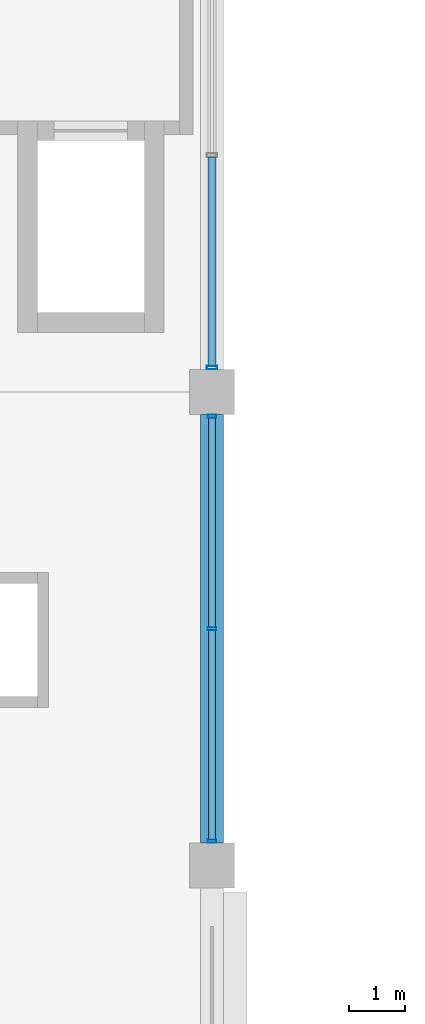
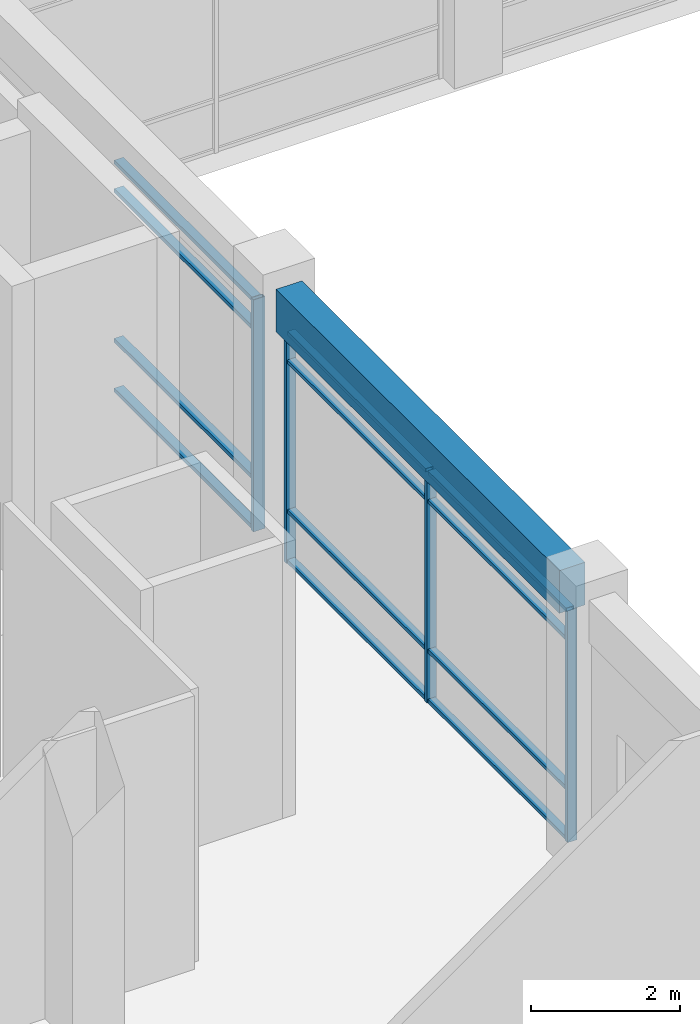
# One storey, part 3 of 62: 16 members, 1 beam, 2 elements without a shape of their own.
"""IFC4 building model written with IfcOpenShell, lengths in metres."""

from ifc_helpers import new_model, si_unit, direction, frame, origin, origin_2d, place, context, subcontext, project, spatial, rectangle, hollow_rectangle, extrude, material, material_profile, profile_set, type_object, element, aggregate, save


model = new_model("IFC4")

# Units and contexts
model_context = context("Model", 3, precision=1e-05, world=origin(), true_north=direction((0.0, 1.0)))
body_context = subcontext(model_context, "Body", "Model", "MODEL_VIEW")
ifc_project = project(units=[si_unit("LENGTHUNIT", "METRE"), si_unit("AREAUNIT", "SQUARE_METRE"), si_unit("VOLUMEUNIT", "CUBIC_METRE"), si_unit("PLANEANGLEUNIT", "RADIAN"), si_unit("MASSUNIT", "GRAM", prefix="KILO"), si_unit("THERMODYNAMICTEMPERATUREUNIT", "KELVIN"), si_unit("POWERUNIT", "WATT")], contexts=[model_context])

# Site, building, storey
site_placement = place(None, origin())
site = spatial("IfcSite", under=ifc_project, at=site_placement, CompositionType="ELEMENT")
building_placement = place(site_placement, origin())
building = spatial("IfcBuilding", under=site, at=building_placement, Name="Srebrne Nadtorze General Hospital", CompositionType="ELEMENT")
storey_placement = place(building_placement, frame((0.0, 0.0, 9.60009765625)))
storey = spatial("IfcBuildingStorey", under=building, at=storey_placement, Name="L02", CompositionType="ELEMENT", Elevation=9.60009765625)

# Curtain wall, members
ifc_material_1 = material(Name="Anodised Aluminium", Category="aluminium")
curtain_wall_type = type_object("IfcCurtainWallType", Name="Unitised curtain wall 7600x3800", PredefinedType="NOTDEFINED", material=ifc_material_1)
curtain_wall_1_placement = place(storey_placement, origin())
curtain_wall_1 = element("IfcCurtainWall", 1, at=curtain_wall_1_placement, inside=storey, type_object=curtain_wall_type, Name="Curtain wall CW-082", PredefinedType="NOTDEFINED")
ifc_material_2 = material(Name="Anodised Aluminium", Category="aluminium")
ifc_material_profile_1 = material_profile(ifc_material_2, hollow_rectangle(XDim=0.06005859375, YDim=0.14990234375, WallThickness=0.00390625, at=origin_2d()), Name="AL-MUL-60x150")
ifc_profile_set_1 = profile_set([ifc_material_profile_1], Name="Anodised Aluminium")
member_type_1 = type_object("IfcMemberType", Name="Curtain mullion 60x150", PredefinedType="MULLION", material=ifc_profile_set_1)
member_1_placement = place(storey_placement, frame((54.60009765625, 34.030029296875, 0.0), z_axis=(0.0, 0.0, 1.0), x_axis=(0.0, 1.0, 0.0)))
member_1 = element("IfcMember", 2, at=member_1_placement, type_object=member_type_1, Name="CW-082 mullion 1", PredefinedType="MULLION", context=body_context, shape_type="SweptSolid", body=[
    extrude(hollow_rectangle(XDim=0.06005859375, YDim=0.14990234375, WallThickness=0.00390625, at=origin_2d()), origin(), (0.0, 0.0, 1.0), 3.7998046875),
])
member_2_placement = place(storey_placement, frame((54.60009765625, 37.800048828125, 0.0), z_axis=(0.0, 0.0, 1.0), x_axis=(0.0, 1.0, 0.0)))
member_2 = element("IfcMember", 3, at=member_2_placement, type_object=member_type_1, Name="CW-082 mullion 2", PredefinedType="MULLION", context=body_context, shape_type="SweptSolid", body=[
    extrude(hollow_rectangle(XDim=0.06005859375, YDim=0.14990234375, WallThickness=0.00390625, at=origin_2d()), origin(), (0.0, 0.0, 1.0), 3.7998046875),
])
member_3_placement = place(storey_placement, frame((54.60009765625, 41.570068359375, 0.0), z_axis=(0.0, 0.0, 1.0), x_axis=(0.0, 1.0, 0.0)))
member_3 = element("IfcMember", 4, at=member_3_placement, type_object=member_type_1, Name="CW-082 mullion 3", PredefinedType="MULLION", context=body_context, shape_type="SweptSolid", body=[
    extrude(hollow_rectangle(XDim=0.06005859375, YDim=0.14990234375, WallThickness=0.00390625, at=origin_2d()), origin(), (0.0, 0.0, 1.0), 3.7998046875),
])

# Curtain wall, member
curtain_wall_2_placement = place(storey_placement, origin())
curtain_wall_2 = element("IfcCurtainWall", 5, at=curtain_wall_2_placement, inside=storey, type_object=curtain_wall_type, Name="Curtain wall CW-083", PredefinedType="NOTDEFINED")
ifc_material_3 = material(Name="Anodised Aluminium", Category="aluminium")
ifc_material_profile_2 = material_profile(ifc_material_3, hollow_rectangle(XDim=0.06494140625, YDim=0.179931640625, WallThickness=0.00390625, at=origin_2d()), Name="AL-MUL-65x180")
ifc_profile_set_2 = profile_set([ifc_material_profile_2], Name="Anodised Aluminium")
member_type_2 = type_object("IfcMemberType", Name="Curtain mullion 65x180", PredefinedType="MULLION", material=ifc_profile_set_2)
member_4_placement = place(storey_placement, frame((54.60009765625, 42.4326171875, 0.0), z_axis=(0.0, 0.0, 1.0), x_axis=(0.0, 1.0, 0.0)))
member_4 = element("IfcMember", 6, at=member_4_placement, type_object=member_type_2, Name="CW-083 mullion 1", PredefinedType="MULLION", context=body_context, shape_type="SweptSolid", body=[
    extrude(hollow_rectangle(XDim=0.06494140625, YDim=0.179931640625, WallThickness=0.00390625, at=origin_2d()), origin(), (0.0, 0.0, 1.0), 3.7998046875),
])

# Member
ifc_material_4 = material(Name="Anodised Aluminium", Category="aluminium")
ifc_material_profile_3 = material_profile(ifc_material_4, hollow_rectangle(XDim=0.06005859375, YDim=0.1201171875, WallThickness=0.00390625, at=origin_2d()), Name="AL-TRN-60x120")
ifc_profile_set_3 = profile_set([ifc_material_profile_3], Name="Anodised Aluminium")
member_type_3 = type_object("IfcMemberType", Name="Curtain transom 60x120", PredefinedType="USERDEFINED", material=ifc_profile_set_3)
member_5_placement = place(storey_placement, frame((54.60009765625, 34.06005859375, 0.02978515625), z_axis=(0.0, 1.0, 0.0), x_axis=(0.0, 0.0, 1.0)))
member_5 = element("IfcMember", 7, at=member_5_placement, type_object=member_type_3, Name="CW-082 transom 1.1", ObjectType="TRANSOM", PredefinedType="USERDEFINED", context=body_context, shape_type="SweptSolid", body=[
    extrude(hollow_rectangle(XDim=0.06005859375, YDim=0.1201171875, WallThickness=0.00390625, at=origin_2d()), origin(), (0.0, 0.0, 1.0), 3.7099609375),
])

member_6_placement = place(storey_placement, frame((54.60009765625, 34.06005859375, 0.849853515625), z_axis=(0.0, 1.0, 0.0), x_axis=(0.0, 0.0, 1.0)))
member_6 = element("IfcMember", 8, at=member_6_placement, type_object=member_type_3, Name="CW-082 transom 1.2", ObjectType="TRANSOM", PredefinedType="USERDEFINED", context=body_context, shape_type="SweptSolid", body=[
    extrude(hollow_rectangle(XDim=0.06005859375, YDim=0.1201171875, WallThickness=0.00390625, at=origin_2d()), origin(), (0.0, 0.0, 1.0), 3.7099609375),
])

member_7_placement = place(storey_placement, frame((54.60009765625, 34.06005859375, 3.2998046875), z_axis=(0.0, 1.0, 0.0), x_axis=(0.0, 0.0, 1.0)))
member_7 = element("IfcMember", 9, at=member_7_placement, type_object=member_type_3, Name="CW-082 transom 1.3", ObjectType="TRANSOM", PredefinedType="USERDEFINED", context=body_context, shape_type="SweptSolid", body=[
    extrude(hollow_rectangle(XDim=0.06005859375, YDim=0.1201171875, WallThickness=0.00390625, at=origin_2d()), origin(), (0.0, 0.0, 1.0), 3.7099609375),
])

member_8_placement = place(storey_placement, frame((54.60009765625, 34.06005859375, 3.77001953125), z_axis=(0.0, 1.0, 0.0), x_axis=(0.0, 0.0, 1.0)))
member_8 = element("IfcMember", 10, at=member_8_placement, type_object=member_type_3, Name="CW-082 transom 1.4", ObjectType="TRANSOM", PredefinedType="USERDEFINED", context=body_context, shape_type="SweptSolid", body=[
    extrude(hollow_rectangle(XDim=0.06005859375, YDim=0.1201171875, WallThickness=0.00390625, at=origin_2d()), origin(), (0.0, 0.0, 1.0), 3.7099609375),
])

member_9_placement = place(storey_placement, frame((54.60009765625, 37.830078125, 0.02978515625), z_axis=(0.0, 1.0, 0.0), x_axis=(0.0, 0.0, 1.0)))
member_9 = element("IfcMember", 11, at=member_9_placement, type_object=member_type_3, Name="CW-082 transom 2.1", ObjectType="TRANSOM", PredefinedType="USERDEFINED", context=body_context, shape_type="SweptSolid", body=[
    extrude(hollow_rectangle(XDim=0.06005859375, YDim=0.1201171875, WallThickness=0.00390625, at=origin_2d()), origin(), (0.0, 0.0, 1.0), 3.7099609375),
])

member_10_placement = place(storey_placement, frame((54.60009765625, 37.830078125, 0.849853515625), z_axis=(0.0, 1.0, 0.0), x_axis=(0.0, 0.0, 1.0)))
member_10 = element("IfcMember", 12, at=member_10_placement, type_object=member_type_3, Name="CW-082 transom 2.2", ObjectType="TRANSOM", PredefinedType="USERDEFINED", context=body_context, shape_type="SweptSolid", body=[
    extrude(hollow_rectangle(XDim=0.06005859375, YDim=0.1201171875, WallThickness=0.00390625, at=origin_2d()), origin(), (0.0, 0.0, 1.0), 3.7099609375),
])

member_11_placement = place(storey_placement, frame((54.60009765625, 37.830078125, 3.2998046875), z_axis=(0.0, 1.0, 0.0), x_axis=(0.0, 0.0, 1.0)))
member_11 = element("IfcMember", 13, at=member_11_placement, type_object=member_type_3, Name="CW-082 transom 2.3", ObjectType="TRANSOM", PredefinedType="USERDEFINED", context=body_context, shape_type="SweptSolid", body=[
    extrude(hollow_rectangle(XDim=0.06005859375, YDim=0.1201171875, WallThickness=0.00390625, at=origin_2d()), origin(), (0.0, 0.0, 1.0), 3.7099609375),
])

member_12_placement = place(storey_placement, frame((54.60009765625, 37.830078125, 3.77001953125), z_axis=(0.0, 1.0, 0.0), x_axis=(0.0, 0.0, 1.0)))
member_12 = element("IfcMember", 14, at=member_12_placement, type_object=member_type_3, Name="CW-082 transom 2.4", ObjectType="TRANSOM", PredefinedType="USERDEFINED", context=body_context, shape_type="SweptSolid", body=[
    extrude(hollow_rectangle(XDim=0.06005859375, YDim=0.1201171875, WallThickness=0.00390625, at=origin_2d()), origin(), (0.0, 0.0, 1.0), 3.7099609375),
])

aggregate(curtain_wall_1, [member_1, member_2, member_3, member_5, member_6, member_7, member_8, member_9, member_10, member_11, member_12])

ifc_material_5 = material(Name="Anodised Aluminium", Category="aluminium")
ifc_material_profile_4 = material_profile(ifc_material_5, hollow_rectangle(XDim=0.06494140625, YDim=0.139892578125, WallThickness=0.00390625, at=origin_2d()), Name="AL-TRN-65x140")
ifc_profile_set_4 = profile_set([ifc_material_profile_4], Name="Anodised Aluminium")
member_type_4 = type_object("IfcMemberType", Name="Curtain transom 65x140", PredefinedType="USERDEFINED", material=ifc_profile_set_4)
member_13_placement = place(storey_placement, frame((54.60009765625, 42.465087890625, 0.032470703125), z_axis=(0.0, 1.0, 0.0), x_axis=(0.0, 0.0, 1.0)))
member_13 = element("IfcMember", 15, at=member_13_placement, type_object=member_type_4, Name="CW-083 transom 1.1", ObjectType="TRANSOM", PredefinedType="USERDEFINED", context=body_context, shape_type="SweptSolid", body=[
    extrude(hollow_rectangle(XDim=0.06494140625, YDim=0.139892578125, WallThickness=0.00390625, at=origin_2d()), origin(), (0.0, 0.0, 1.0), 3.702392578125),
])

member_14_placement = place(storey_placement, frame((54.60009765625, 42.465087890625, 0.849853515625), z_axis=(0.0, 1.0, 0.0), x_axis=(0.0, 0.0, 1.0)))
member_14 = element("IfcMember", 16, at=member_14_placement, type_object=member_type_4, Name="CW-083 transom 1.2", ObjectType="TRANSOM", PredefinedType="USERDEFINED", context=body_context, shape_type="SweptSolid", body=[
    extrude(hollow_rectangle(XDim=0.06494140625, YDim=0.139892578125, WallThickness=0.00390625, at=origin_2d()), origin(), (0.0, 0.0, 1.0), 3.702392578125),
])

member_15_placement = place(storey_placement, frame((54.60009765625, 42.465087890625, 3.2998046875), z_axis=(0.0, 1.0, 0.0), x_axis=(0.0, 0.0, 1.0)))
member_15 = element("IfcMember", 17, at=member_15_placement, type_object=member_type_4, Name="CW-083 transom 1.3", ObjectType="TRANSOM", PredefinedType="USERDEFINED", context=body_context, shape_type="SweptSolid", body=[
    extrude(hollow_rectangle(XDim=0.06494140625, YDim=0.139892578125, WallThickness=0.00390625, at=origin_2d()), origin(), (0.0, 0.0, 1.0), 3.702392578125),
])

member_16_placement = place(storey_placement, frame((54.60009765625, 42.465087890625, 3.767333984375), z_axis=(0.0, 1.0, 0.0), x_axis=(0.0, 0.0, 1.0)))
member_16 = element("IfcMember", 18, at=member_16_placement, type_object=member_type_4, Name="CW-083 transom 1.4", ObjectType="TRANSOM", PredefinedType="USERDEFINED", context=body_context, shape_type="SweptSolid", body=[
    extrude(hollow_rectangle(XDim=0.06494140625, YDim=0.139892578125, WallThickness=0.00390625, at=origin_2d()), origin(), (0.0, 0.0, 1.0), 3.702392578125),
])

aggregate(curtain_wall_2, [member_4, member_13, member_14, member_15, member_16])

# Beam
ifc_material_6 = material(Name="Concrete C40/50", Category="concrete")
ifc_material_profile_5 = material_profile(ifc_material_6, rectangle(XDim=0.39990234375, YDim=0.699951171875, at=origin_2d()), Name="RC-BM-400x700")
ifc_profile_set_5 = profile_set([ifc_material_profile_5], Name="Concrete C40/50")
beam_type = type_object("IfcBeamType", Name="Edge beam RC 400x700", PredefinedType="BEAM", material=ifc_profile_set_5)
beam_placement = place(storey_placement, frame((54.60009765625, 34.0, 4.14990234375), z_axis=(0.0, 1.0, 0.0), x_axis=(-1.0, 0.0, 0.0)))
element("IfcBeam", 19, at=beam_placement, inside=storey, type_object=beam_type, Name="Beam BM-L02-Y-0662", PredefinedType="BEAM", context=body_context, shape_type="SweptSolid", body=[
    extrude(rectangle(XDim=0.39990234375, YDim=0.699951171875, at=origin_2d()), origin(), (0.0, 0.0, 1.0), 7.60009765625),
])

save(model, "model.ifc")
